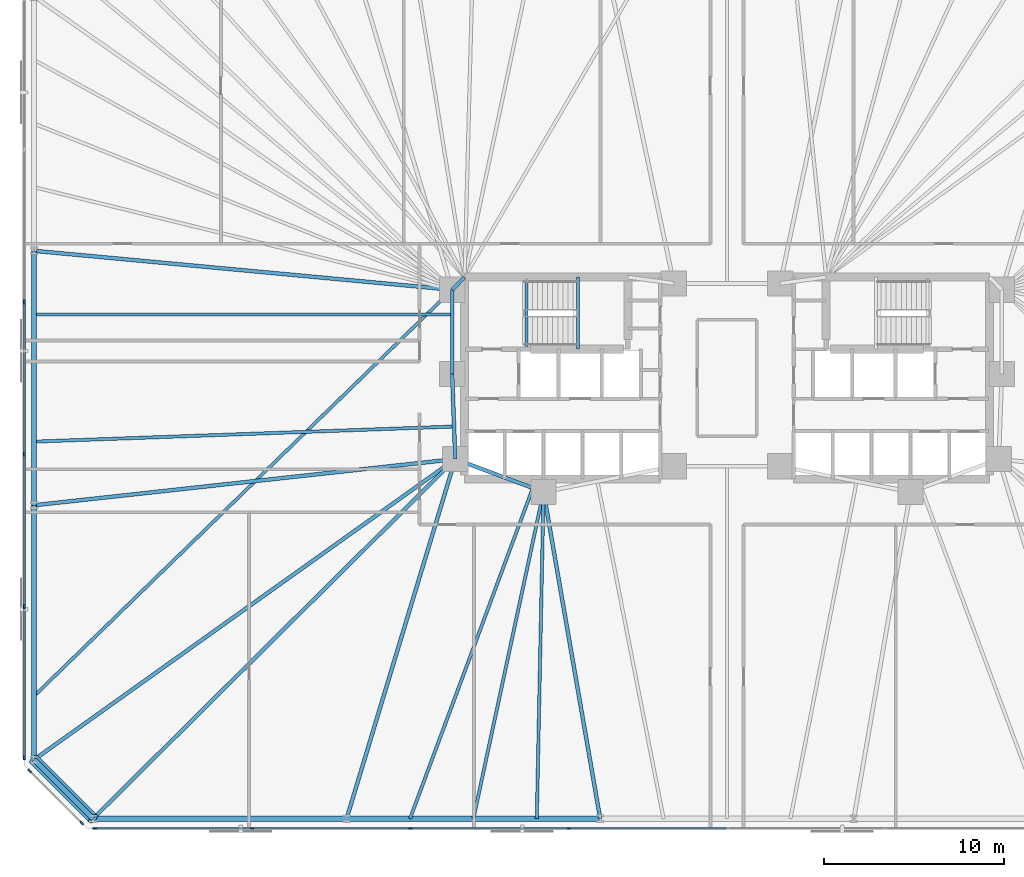
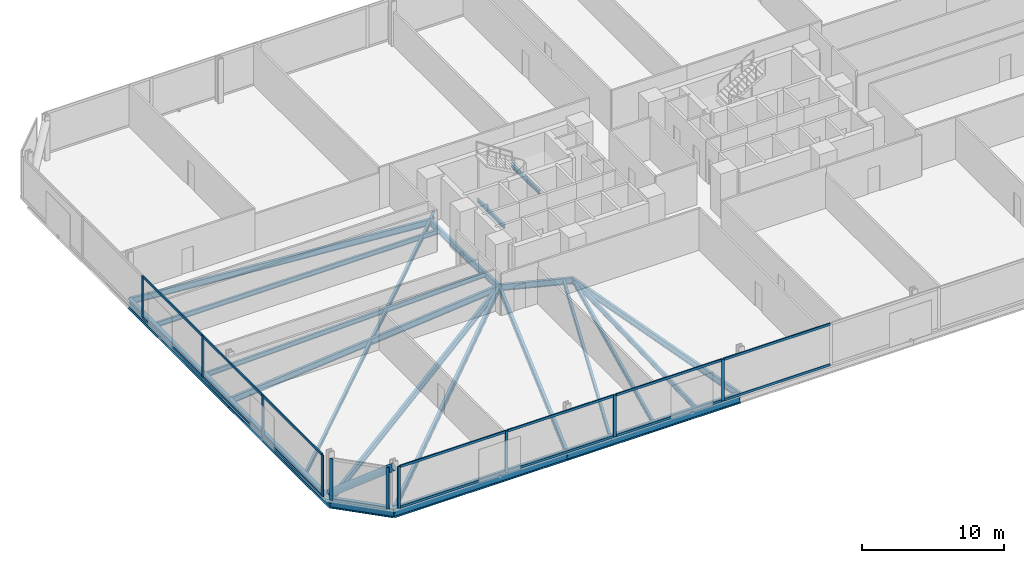
# One storey, part 6 of 17: 25 members, 23 beams, 3 elements without a shape of their own.
"""IFC4 building model written with IfcOpenShell, lengths in metres."""

import ifcopenshell
import ifcopenshell.guid

model = None  # the IFC model being written
_history = None  # IfcOwnerHistory: only IFC2X3 demands one
_inside = {}  # id of a spatial element -> (the spatial element, [elements in it])
_under = {}  # id of a project, library or spatial element -> (it, [spatial elements below it])
_declared = {}  # id of a project -> (the project, [libraries it declares])
_typed = {}  # id of a type object -> (the type object, [elements of that type])
_made_of = {}  # id of a material, layer set ... -> (it, [elements and type objects made of it])


def new_model(schema):
    """Start an empty IFC model of exactly this schema.

    Asked for "IFC4X3", IfcOpenShell would pick the latest addendum, in which some entities
    have other attributes; the version numbers below select the first issue.
    IFC2X3 requires an IfcOwnerHistory on every rooted entity: one is made here for all.
    """
    global model, _history
    if schema == "IFC4X3":
        model = ifcopenshell.file(schema_version=(4, 3, 0, 0))
    else:
        model = ifcopenshell.file(schema=schema)
    _inside.clear()
    _under.clear()
    _declared.clear()
    _typed.clear()
    _made_of.clear()
    _history = None
    if model.schema == "IFC2X3":
        org = make("IfcOrganization", Name="unknown")
        user = make(
            "IfcPersonAndOrganization",
            ThePerson=make("IfcPerson", FamilyName="unknown"),
            TheOrganization=org,
        )
        app = make(
            "IfcApplication",
            ApplicationDeveloper=org,
            Version="unknown",
            ApplicationFullName="unknown",
            ApplicationIdentifier="unknown",
        )
        _history = make(
            "IfcOwnerHistory",
            OwningUser=user,
            OwningApplication=app,
            ChangeAction="ADDED",
            CreationDate=0,
        )
    return model


def make(cls, **values):
    """One entity of the class cls with the attributes given. An attribute that is None is left unset."""
    return model.create_entity(
        cls, **{name: value for name, value in values.items() if value is not None}
    )


def rooted(cls, **values):
    """An entity with a GlobalId (a new one), such as an element, a storey or a relation."""
    return make(cls, GlobalId=ifcopenshell.guid.new(), OwnerHistory=_history, **values)


def si_unit(unit_type, name, prefix=None):
    """IfcSIUnit, for example si_unit("LENGTHUNIT", "METRE", prefix="MILLI")."""
    return make("IfcSIUnit", UnitType=unit_type, Prefix=prefix, Name=name)


def assignment(units):
    """IfcUnitAssignment: the units of a project."""
    return None if units is None else make("IfcUnitAssignment", Units=units)


def point(xyz):
    """IfcCartesianPoint."""
    return None if xyz is None else make("IfcCartesianPoint", Coordinates=xyz)


def direction(xyz):
    """IfcDirection."""
    return None if xyz is None else make("IfcDirection", DirectionRatios=xyz)


def frame(location, z_axis=None, x_axis=None):
    """IfcAxis2Placement3D, a coordinate frame: its origin and axes. An axis left out is left unset."""
    return make(
        "IfcAxis2Placement3D",
        Location=point(location),
        Axis=direction(z_axis),
        RefDirection=direction(x_axis),
    )


def frame_2d(location, x_axis=None):
    """IfcAxis2Placement2D, a coordinate frame in the plane: its origin and x axis."""
    return make(
        "IfcAxis2Placement2D", Location=point(location), RefDirection=direction(x_axis)
    )


def origin():
    """The frame at (0, 0, 0) with its axes left unset."""
    return frame((0.0, 0.0, 0.0))


def origin_2d():
    """The frame at (0, 0) in the plane with its x axis left unset."""
    return frame_2d((0.0, 0.0))


def place(relative_to, where):
    """IfcLocalPlacement: puts the frame where relative to a parent placement (None: the world)."""
    return make(
        "IfcLocalPlacement", PlacementRelTo=relative_to, RelativePlacement=where
    )


def context(
    kind, dimensions, precision=None, world=None, true_north=None, identifier=None
):
    """IfcGeometricRepresentationContext, for example the 3D "Model" context."""
    return make(
        "IfcGeometricRepresentationContext",
        ContextIdentifier=identifier,
        ContextType=kind,
        CoordinateSpaceDimension=dimensions,
        Precision=precision,
        WorldCoordinateSystem=world,
        TrueNorth=true_north,
    )


def subcontext(parent, identifier, kind, view, scale=None):
    """IfcGeometricRepresentationSubContext, for example "Body" below "Model"."""
    return make(
        "IfcGeometricRepresentationSubContext",
        ContextIdentifier=identifier,
        ContextType=kind,
        ParentContext=parent,
        TargetScale=scale,
        TargetView=view,
    )


def project(units=None, contexts=None):
    """IfcProject with its units and contexts."""
    return rooted(
        "IfcProject",
        Name="project",
        RepresentationContexts=contexts,
        UnitsInContext=assignment(units),
    )


def spatial(cls, under=None, at=None, **own):
    """A site, building, storey or space (cls), placed at a placement, below another one or the project."""
    s = rooted(cls, ObjectPlacement=at, **own)
    if under is not None:
        _under.setdefault(under.id(), (under, []))[1].append(s)
    return s


def profile(cls, at=None, kind="AREA", **sizes):
    """A parametric profile (cls). Its sizes go by their IFC names, for example OverallWidth=200.0."""
    return make(cls, ProfileType=kind, Position=at, **sizes)


def rectangle(**sizes):
    """IfcRectangleProfileDef."""
    return profile("IfcRectangleProfileDef", **sizes)


def hollow_circle(**sizes):
    """IfcCircleHollowProfileDef."""
    return profile("IfcCircleHollowProfileDef", **sizes)


def i_section(**sizes):
    """IfcIShapeProfileDef."""
    return profile("IfcIShapeProfileDef", **sizes)


def extrude(swept, where, along, depth):
    """IfcExtrudedAreaSolid: the profile swept, set in the frame where, extruded along a direction by depth."""
    return make(
        "IfcExtrudedAreaSolid",
        SweptArea=swept,
        Position=where,
        ExtrudedDirection=direction(along),
        Depth=depth,
    )


def shape(context_of_items, identifier, shape_type, items):
    """IfcShapeRepresentation: the items that make up one representation, for example the "Body"."""
    return make(
        "IfcShapeRepresentation",
        ContextOfItems=context_of_items,
        RepresentationIdentifier=identifier,
        RepresentationType=shape_type,
        Items=items,
    )


def material(Name=None, Category=None):
    """IfcMaterial."""
    return make("IfcMaterial", Name=Name, Category=Category)


def material_profile(
    of_material, cross_section, Name=None, Category=None, Priority=None
):
    """IfcMaterialProfile: a cross section and its material."""
    return make(
        "IfcMaterialProfile",
        Name=Name,
        Material=of_material,
        Profile=cross_section,
        Priority=Priority,
        Category=Category,
    )


def profile_set(profiles, Name=None, composite=None):
    """IfcMaterialProfileSet."""
    return make(
        "IfcMaterialProfileSet",
        Name=Name,
        MaterialProfiles=profiles,
        CompositeProfile=composite,
    )


def made_of(thing, what):
    """Note that an element or type object is made of a material, layer set ...; save() writes the relation."""
    if what is not None:
        _made_of.setdefault(what.id(), (what, []))[1].append(thing)
    return thing


def type_object(cls, material=None, **own):
    """A type object (cls), such as IfcWallType, which elements share."""
    return made_of(rooted(cls, **own), material)


def element(
    cls,
    number,
    at=None,
    inside=None,
    cuts=None,
    type_object=None,
    material=None,
    context=None,
    identifier="Body",
    shape_type=None,
    held_by="IfcProductDefinitionShape",
    body=None,
    shapes=None,
    **own,
):
    """One element of the class cls, such as IfcWall. Its Tag is "e" and its number.

    at: its placement. inside: the storey or other place that contains it. cuts: it is an
    opening in that element (IfcRelVoidsElement). A single representation is given by context,
    identifier, shape_type and body (its items); several are given by shapes. held_by: the class
    of the entity that holds the representations. save() writes the other relations.
    """
    e = rooted(cls, Tag="e%d" % number, ObjectPlacement=at, **own)
    if body is not None:
        shapes = [shape(context, identifier, shape_type, body)]
    if shapes is not None:
        e.Representation = make(held_by, Representations=shapes)
    if inside is not None:
        _inside.setdefault(inside.id(), (inside, []))[1].append(e)
    if cuts is not None:
        rooted(
            "IfcRelVoidsElement", RelatingBuildingElement=cuts, RelatedOpeningElement=e
        )
    if type_object is not None:
        _typed.setdefault(type_object.id(), (type_object, []))[1].append(e)
    return made_of(e, material)


def aggregate(whole, parts):
    """IfcRelAggregates: a whole, such as a stair, and the parts it consists of."""
    return rooted("IfcRelAggregates", RelatingObject=whole, RelatedObjects=parts)


def save(model, path):
    """Write the relations noted so far, then the file.

    IfcRelAggregates (storeys below a building ...), IfcRelContainedInSpatialStructure (elements
    in a storey), IfcRelDefinesByType, IfcRelAssociatesMaterial and IfcRelDeclares: one each for
    every whole, place, type object, material and project.
    """
    for whole, parts in _under.values():
        aggregate(whole, parts)
    for where, things in _inside.values():
        rooted(
            "IfcRelContainedInSpatialStructure",
            RelatedElements=things,
            RelatingStructure=where,
        )
    for kind, things in _typed.values():
        rooted("IfcRelDefinesByType", RelatedObjects=things, RelatingType=kind)
    for what, things in _made_of.values():
        rooted("IfcRelAssociatesMaterial", RelatedObjects=things, RelatingMaterial=what)
    for by, libraries in _declared.values():
        rooted("IfcRelDeclares", RelatingContext=by, RelatedDefinitions=libraries)
    model.write(path)


model = new_model("IFC4")

# Units and contexts
model_context = context("Model", 3, precision=1e-05, world=origin(), true_north=direction((0.0, 1.0)))
body_context = subcontext(model_context, "Body", "Model", "MODEL_VIEW")
ifc_project = project(units=[si_unit("LENGTHUNIT", "METRE"), si_unit("AREAUNIT", "SQUARE_METRE"), si_unit("VOLUMEUNIT", "CUBIC_METRE"), si_unit("PLANEANGLEUNIT", "RADIAN"), si_unit("MASSUNIT", "GRAM", prefix="KILO")], contexts=[model_context])

# Site, building, storey
site_placement = place(None, origin())
site = spatial("IfcSite", under=ifc_project, at=site_placement, CompositionType="ELEMENT")
building_placement = place(site_placement, origin())
building = spatial("IfcBuilding", under=site, at=building_placement, Name="Menara Jurai Vektor", CompositionType="ELEMENT")
storey_placement = place(building_placement, frame((0.0, 0.0, 52.199951171875)))
storey = spatial("IfcBuildingStorey", under=building, at=storey_placement, Name="L12", CompositionType="ELEMENT", Elevation=52.199951171875)

# Curtain wall, members
ifc_material_1 = material(Name="Anodised Pale Aluminium & Low-E Double Glazing", Category="aluminium")
curtain_wall_type = type_object("IfcCurtainWallType", Name="CW-BLK1", PredefinedType="NOTDEFINED", material=ifc_material_1)
curtain_wall_1_placement = place(storey_placement, origin())
curtain_wall_1 = element("IfcCurtainWall", 1, at=curtain_wall_1_placement, inside=storey, type_object=curtain_wall_type, Name="Unitised Curtain Wall L12 F01", PredefinedType="NOTDEFINED")
ifc_material_2 = material(Name="Anodised Pale Aluminium Mullion", Category="aluminium")
ifc_material_profile_1 = material_profile(ifc_material_2, rectangle(XDim=0.094970703125, YDim=0.239990234375, at=origin_2d()), Name="ALU MUL 95x240")
ifc_profile_set_1 = profile_set([ifc_material_profile_1], Name="Anodised Pale Aluminium Mullion")
member_type_1 = type_object("IfcMemberType", Name="CW-BLK1-MUL", PredefinedType="MULLION", material=ifc_profile_set_1)
member_1_placement = place(storey_placement, frame((-35.072509765625, -25.0, 0.0), z_axis=(0.0, 0.0, 1.0), x_axis=(0.0, 1.0, 0.0)))
member_1 = element("IfcMember", 2, at=member_1_placement, type_object=member_type_1, Name="CW-01 mullion 1", PredefinedType="MULLION", context=body_context, shape_type="SweptSolid", body=[
    extrude(rectangle(XDim=0.094970703125, YDim=0.239990234375, at=origin_2d()), origin(), (0.0, 0.0, 1.0), 3.574951171875),
])
member_2_placement = place(storey_placement, frame((-26.340087890625, -25.0, 0.0), z_axis=(0.0, 0.0, 1.0), x_axis=(0.0, 1.0, 0.0)))
member_2 = element("IfcMember", 3, at=member_2_placement, type_object=member_type_1, Name="CW-01 mullion 2", PredefinedType="MULLION", context=body_context, shape_type="SweptSolid", body=[
    extrude(rectangle(XDim=0.094970703125, YDim=0.239990234375, at=origin_2d()), origin(), (0.0, 0.0, 1.0), 3.574951171875),
])
member_3_placement = place(storey_placement, frame((-17.56005859375, -25.0, 0.0), z_axis=(0.0, 0.0, 1.0), x_axis=(0.0, 1.0, 0.0)))
member_3 = element("IfcMember", 4, at=member_3_placement, type_object=member_type_1, Name="CW-01 mullion 3", PredefinedType="MULLION", context=body_context, shape_type="SweptSolid", body=[
    extrude(rectangle(XDim=0.094970703125, YDim=0.239990234375, at=origin_2d()), origin(), (0.0, 0.0, 1.0), 3.574951171875),
])
member_4_placement = place(storey_placement, frame((-8.780029296875, -25.0, 0.0), z_axis=(0.0, 0.0, 1.0), x_axis=(0.0, 1.0, 0.0)))
member_4 = element("IfcMember", 5, at=member_4_placement, type_object=member_type_1, Name="CW-01 mullion 4", PredefinedType="MULLION", context=body_context, shape_type="SweptSolid", body=[
    extrude(rectangle(XDim=0.094970703125, YDim=0.239990234375, at=origin_2d()), origin(), (0.0, 0.0, 1.0), 3.574951171875),
])

curtain_wall_2_placement = place(storey_placement, origin())
curtain_wall_2 = element("IfcCurtainWall", 6, at=curtain_wall_2_placement, inside=storey, type_object=curtain_wall_type, Name="Unitised Curtain Wall L12 F07", PredefinedType="NOTDEFINED")
member_5_placement = place(storey_placement, frame((-39.0, 4.22412109375, 0.0), z_axis=(0.0, 0.0, 1.0), x_axis=(1.0, 0.0, 0.0)))
member_5 = element("IfcMember", 7, at=member_5_placement, type_object=member_type_1, Name="CW-01 mullion 3", PredefinedType="MULLION", context=body_context, shape_type="SweptSolid", body=[
    extrude(rectangle(XDim=0.094970703125, YDim=0.239990234375, at=origin_2d()), origin(), (0.0, 0.0, 1.0), 3.574951171875),
])
member_6_placement = place(storey_placement, frame((-39.0, -4.22412109375, 0.0), z_axis=(0.0, 0.0, 1.0), x_axis=(1.0, 0.0, 0.0)))
member_6 = element("IfcMember", 8, at=member_6_placement, type_object=member_type_1, Name="CW-01 mullion 4", PredefinedType="MULLION", context=body_context, shape_type="SweptSolid", body=[
    extrude(rectangle(XDim=0.094970703125, YDim=0.239990234375, at=origin_2d()), origin(), (0.0, 0.0, 1.0), 3.574951171875),
])
member_7_placement = place(storey_placement, frame((-39.0, -12.672119140625, 0.0), z_axis=(0.0, 0.0, 1.0), x_axis=(1.0, 0.0, 0.0)))
member_7 = element("IfcMember", 9, at=member_7_placement, type_object=member_type_1, Name="CW-01 mullion 5", PredefinedType="MULLION", context=body_context, shape_type="SweptSolid", body=[
    extrude(rectangle(XDim=0.094970703125, YDim=0.239990234375, at=origin_2d()), origin(), (0.0, 0.0, 1.0), 3.574951171875),
])
member_8_placement = place(storey_placement, frame((-39.0, -21.072509765625, 0.0), z_axis=(0.0, 0.0, 1.0), x_axis=(1.0, 0.0, 0.0)))
member_8 = element("IfcMember", 10, at=member_8_placement, type_object=member_type_1, Name="CW-01 mullion 6", PredefinedType="MULLION", context=body_context, shape_type="SweptSolid", body=[
    extrude(rectangle(XDim=0.094970703125, YDim=0.239990234375, at=origin_2d()), origin(), (0.0, 0.0, 1.0), 3.574951171875),
])

curtain_wall_3_placement = place(storey_placement, origin())
curtain_wall_3 = element("IfcCurtainWall", 11, at=curtain_wall_3_placement, inside=storey, type_object=curtain_wall_type, Name="Unitised Curtain Wall L12 F08", PredefinedType="NOTDEFINED")
member_9_placement = place(storey_placement, frame((-38.69775390625, -21.80224609375, 0.0), z_axis=(0.0, 0.0, 1.0), x_axis=(0.707106781187, 0.707106781187, 0.0)))
member_9 = element("IfcMember", 12, at=member_9_placement, type_object=member_type_1, Name="CW-01 mullion 1", PredefinedType="MULLION", context=body_context, shape_type="SweptSolid", body=[
    extrude(rectangle(XDim=0.094970703125, YDim=0.239990234375, at=origin_2d()), origin(), (0.0, 0.0, 1.0), 3.574951171875),
])
member_10_placement = place(storey_placement, frame((-35.80224609375, -24.69775390625, 0.0), z_axis=(0.0, 0.0, 1.0), x_axis=(0.707106781187, 0.707106781187, 0.0)))
member_10 = element("IfcMember", 13, at=member_10_placement, type_object=member_type_1, Name="CW-01 mullion 2", PredefinedType="MULLION", context=body_context, shape_type="SweptSolid", body=[
    extrude(rectangle(XDim=0.094970703125, YDim=0.239990234375, at=origin_2d()), origin(), (0.0, 0.0, 1.0), 3.574951171875),
])
aggregate(curtain_wall_3, [member_9, member_10])

# Member
ifc_material_3 = material(Name="Anodised Pale Aluminium Transom", Category="aluminium")
ifc_material_profile_2 = material_profile(ifc_material_3, rectangle(XDim=0.094970703125, YDim=0.199951171875, at=origin_2d()), Name="ALU TRN 95x200")
ifc_profile_set_2 = profile_set([ifc_material_profile_2], Name="Anodised Pale Aluminium Transom")
member_type_2 = type_object("IfcMemberType", Name="CW-BLK1-TRN", PredefinedType="USERDEFINED", material=ifc_profile_set_2)
member_11_placement = place(storey_placement, frame((-35.02490234375, -25.0, 0.047607421875), z_axis=(1.0, 0.0, 0.0), x_axis=(0.0, 1.0, 0.0)))
member_11 = element("IfcMember", 14, at=member_11_placement, type_object=member_type_2, Name="CW-01 transom 1.1", ObjectType="TRANSOM", PredefinedType="USERDEFINED", context=body_context, shape_type="SweptSolid", body=[
    extrude(rectangle(XDim=0.094970703125, YDim=0.199951171875, at=origin_2d()), origin(), (0.0, 0.0, 1.0), 8.637451171875),
])

member_12_placement = place(storey_placement, frame((-35.02490234375, -25.0, 3.527587890625), z_axis=(1.0, 0.0, 0.0), x_axis=(0.0, 1.0, 0.0)))
member_12 = element("IfcMember", 15, at=member_12_placement, type_object=member_type_2, Name="CW-01 transom 1.2", ObjectType="TRANSOM", PredefinedType="USERDEFINED", context=body_context, shape_type="SweptSolid", body=[
    extrude(rectangle(XDim=0.094970703125, YDim=0.199951171875, at=origin_2d()), origin(), (0.0, 0.0, 1.0), 8.637451171875),
])

member_13_placement = place(storey_placement, frame((-26.29248046875, -25.0, 0.047607421875), z_axis=(1.0, 0.0, 0.0), x_axis=(0.0, 1.0, 0.0)))
member_13 = element("IfcMember", 16, at=member_13_placement, type_object=member_type_2, Name="CW-01 transom 2.1", ObjectType="TRANSOM", PredefinedType="USERDEFINED", context=body_context, shape_type="SweptSolid", body=[
    extrude(rectangle(XDim=0.094970703125, YDim=0.199951171875, at=origin_2d()), origin(), (0.0, 0.0, 1.0), 8.68505859375),
])

member_14_placement = place(storey_placement, frame((-26.29248046875, -25.0, 3.527587890625), z_axis=(1.0, 0.0, 0.0), x_axis=(0.0, 1.0, 0.0)))
member_14 = element("IfcMember", 17, at=member_14_placement, type_object=member_type_2, Name="CW-01 transom 2.2", ObjectType="TRANSOM", PredefinedType="USERDEFINED", context=body_context, shape_type="SweptSolid", body=[
    extrude(rectangle(XDim=0.094970703125, YDim=0.199951171875, at=origin_2d()), origin(), (0.0, 0.0, 1.0), 8.68505859375),
])

member_15_placement = place(storey_placement, frame((-17.512451171875, -25.0, 0.047607421875), z_axis=(1.0, 0.0, 0.0), x_axis=(0.0, 1.0, 0.0)))
member_15 = element("IfcMember", 18, at=member_15_placement, type_object=member_type_2, Name="CW-01 transom 3.1", ObjectType="TRANSOM", PredefinedType="USERDEFINED", context=body_context, shape_type="SweptSolid", body=[
    extrude(rectangle(XDim=0.094970703125, YDim=0.199951171875, at=origin_2d()), origin(), (0.0, 0.0, 1.0), 8.68505859375),
])

member_16_placement = place(storey_placement, frame((-17.512451171875, -25.0, 3.527587890625), z_axis=(1.0, 0.0, 0.0), x_axis=(0.0, 1.0, 0.0)))
member_16 = element("IfcMember", 19, at=member_16_placement, type_object=member_type_2, Name="CW-01 transom 3.2", ObjectType="TRANSOM", PredefinedType="USERDEFINED", context=body_context, shape_type="SweptSolid", body=[
    extrude(rectangle(XDim=0.094970703125, YDim=0.199951171875, at=origin_2d()), origin(), (0.0, 0.0, 1.0), 8.68505859375),
])

member_17_placement = place(storey_placement, frame((-8.732421875, -25.0, 0.047607421875), z_axis=(1.0, 0.0, 0.0), x_axis=(0.0, 1.0, 0.0)))
member_17 = element("IfcMember", 20, at=member_17_placement, type_object=member_type_2, Name="CW-01 transom 4.1", ObjectType="TRANSOM", PredefinedType="USERDEFINED", context=body_context, shape_type="SweptSolid", body=[
    extrude(rectangle(XDim=0.094970703125, YDim=0.199951171875, at=origin_2d()), origin(), (0.0, 0.0, 1.0), 8.684814453125),
])

member_18_placement = place(storey_placement, frame((-8.732421875, -25.0, 3.527587890625), z_axis=(1.0, 0.0, 0.0), x_axis=(0.0, 1.0, 0.0)))
member_18 = element("IfcMember", 21, at=member_18_placement, type_object=member_type_2, Name="CW-01 transom 4.2", ObjectType="TRANSOM", PredefinedType="USERDEFINED", context=body_context, shape_type="SweptSolid", body=[
    extrude(rectangle(XDim=0.094970703125, YDim=0.199951171875, at=origin_2d()), origin(), (0.0, 0.0, 1.0), 8.684814453125),
])

aggregate(curtain_wall_1, [member_1, member_2, member_3, member_4, member_11, member_12, member_13, member_14, member_15, member_16, member_17, member_18])

member_19_placement = place(storey_placement, frame((-39.0, 4.176513671875, 0.047607421875), z_axis=(0.0, -1.0, 0.0), x_axis=(1.0, 0.0, 0.0)))
member_19 = element("IfcMember", 22, at=member_19_placement, type_object=member_type_2, Name="CW-01 transom 3.1", ObjectType="TRANSOM", PredefinedType="USERDEFINED", context=body_context, shape_type="SweptSolid", body=[
    extrude(rectangle(XDim=0.094970703125, YDim=0.199951171875, at=origin_2d()), origin(), (0.0, 0.0, 1.0), 8.35302734375),
])

member_20_placement = place(storey_placement, frame((-39.0, 4.176513671875, 3.527587890625), z_axis=(0.0, -1.0, 0.0), x_axis=(1.0, 0.0, 0.0)))
member_20 = element("IfcMember", 23, at=member_20_placement, type_object=member_type_2, Name="CW-01 transom 3.2", ObjectType="TRANSOM", PredefinedType="USERDEFINED", context=body_context, shape_type="SweptSolid", body=[
    extrude(rectangle(XDim=0.094970703125, YDim=0.199951171875, at=origin_2d()), origin(), (0.0, 0.0, 1.0), 8.35302734375),
])

member_21_placement = place(storey_placement, frame((-39.0, -4.271484375, 0.047607421875), z_axis=(0.0, -1.0, 0.0), x_axis=(1.0, 0.0, 0.0)))
member_21 = element("IfcMember", 24, at=member_21_placement, type_object=member_type_2, Name="CW-01 transom 4.1", ObjectType="TRANSOM", PredefinedType="USERDEFINED", context=body_context, shape_type="SweptSolid", body=[
    extrude(rectangle(XDim=0.094970703125, YDim=0.199951171875, at=origin_2d()), origin(), (0.0, 0.0, 1.0), 8.35302734375),
])

member_22_placement = place(storey_placement, frame((-39.0, -4.271484375, 3.527587890625), z_axis=(0.0, -1.0, 0.0), x_axis=(1.0, 0.0, 0.0)))
member_22 = element("IfcMember", 25, at=member_22_placement, type_object=member_type_2, Name="CW-01 transom 4.2", ObjectType="TRANSOM", PredefinedType="USERDEFINED", context=body_context, shape_type="SweptSolid", body=[
    extrude(rectangle(XDim=0.094970703125, YDim=0.199951171875, at=origin_2d()), origin(), (0.0, 0.0, 1.0), 8.35302734375),
])

member_23_placement = place(storey_placement, frame((-39.0, -12.719482421875, 0.047607421875), z_axis=(0.0, -1.0, 0.0), x_axis=(1.0, 0.0, 0.0)))
member_23 = element("IfcMember", 26, at=member_23_placement, type_object=member_type_2, Name="CW-01 transom 5.1", ObjectType="TRANSOM", PredefinedType="USERDEFINED", context=body_context, shape_type="SweptSolid", body=[
    extrude(rectangle(XDim=0.094970703125, YDim=0.199951171875, at=origin_2d()), origin(), (0.0, 0.0, 1.0), 8.305419921875),
])

member_24_placement = place(storey_placement, frame((-39.0, -12.719482421875, 3.527587890625), z_axis=(0.0, -1.0, 0.0), x_axis=(1.0, 0.0, 0.0)))
member_24 = element("IfcMember", 27, at=member_24_placement, type_object=member_type_2, Name="CW-01 transom 5.2", ObjectType="TRANSOM", PredefinedType="USERDEFINED", context=body_context, shape_type="SweptSolid", body=[
    extrude(rectangle(XDim=0.094970703125, YDim=0.199951171875, at=origin_2d()), origin(), (0.0, 0.0, 1.0), 8.305419921875),
])

aggregate(curtain_wall_2, [member_5, member_6, member_7, member_8, member_19, member_20, member_21, member_22, member_23, member_24])

# Beams
ifc_material_4 = material(Name="Steel S355", Category="steel")
ifc_material_profile_3 = material_profile(ifc_material_4, i_section(OverallWidth=0.2109375, OverallDepth=0.5390625, WebThickness=0.011962890625, FlangeThickness=0.01904296875, FilletRadius=0.012939453125, at=origin_2d()), Name="UKB 533x210x109")
ifc_profile_set_3 = profile_set([ifc_material_profile_3], Name="Steel S355")
beam_type_1 = type_object("IfcBeamType", Name="STR-BM-533", PredefinedType="BEAM", material=ifc_profile_set_3)
beam_1_placement = place(storey_placement, frame((-15.25, 4.89990234375, -0.494384765625), z_axis=(0.701871936926, 0.712303154672, 0.0), x_axis=(-0.712303154672, 0.701871936926, 0.0)))
element("IfcBeam", 28, at=beam_1_placement, inside=storey, type_object=beam_type_1, Name="Core Ring Header Girder L12-CHW-N1", PredefinedType="BEAM", context=body_context, shape_type="SweptSolid", body=[
    extrude(i_section(OverallWidth=0.2109375, OverallDepth=0.5390625, WebThickness=0.011962890625, FlangeThickness=0.01904296875, FilletRadius=0.012939453125, at=origin_2d()), origin(), (0.0, 0.0, 1.0), 0.98291015625),
])
beam_2_placement = place(storey_placement, frame((-15.25, 0.219970703125, -0.494384765625), z_axis=(0.0, 1.0, 0.0), x_axis=(-1.0, 0.0, 0.0)))
element("IfcBeam", 29, at=beam_2_placement, inside=storey, type_object=beam_type_1, Name="Core Ring Header Girder L12-CHW-W1", PredefinedType="BEAM", context=body_context, shape_type="SweptSolid", body=[
    extrude(i_section(OverallWidth=0.2109375, OverallDepth=0.5390625, WebThickness=0.011962890625, FlangeThickness=0.01904296875, FilletRadius=0.012939453125, at=origin_2d()), origin(), (0.0, 0.0, 1.0), 4.679931640625),
])
beam_3_placement = place(storey_placement, frame((-15.080078125, -4.5, -0.494384765625), z_axis=(-0.035977314146, 0.999352606874, 0.0), x_axis=(-0.999352606874, -0.035977314146, 0.0)))
element("IfcBeam", 30, at=beam_3_placement, inside=storey, type_object=beam_type_1, Name="Core Ring Header Girder L12-CHW-W2", PredefinedType="BEAM", context=body_context, shape_type="SweptSolid", body=[
    extrude(i_section(OverallWidth=0.2109375, OverallDepth=0.5390625, WebThickness=0.011962890625, FlangeThickness=0.01904296875, FilletRadius=0.012939453125, at=origin_2d()), origin(), (0.0, 0.0, 1.0), 4.72314453125),
])
beam_4_placement = place(storey_placement, frame((-15.080078125, -4.5, -0.494384765625), z_axis=(0.937424400887, -0.348188874925, 0.0), x_axis=(0.348188874925, 0.937424400887, 0.0)))
element("IfcBeam", 31, at=beam_4_placement, inside=storey, type_object=beam_type_1, Name="Core Ring Header Girder L12-CHW-S1", PredefinedType="BEAM", context=body_context, shape_type="SweptSolid", body=[
    extrude(i_section(OverallWidth=0.2109375, OverallDepth=0.5390625, WebThickness=0.011962890625, FlangeThickness=0.01904296875, FilletRadius=0.012939453125, at=origin_2d()), origin(), (0.0, 0.0, 1.0), 5.227294921875),
])
beam_5_placement = place(storey_placement, frame((-35.177734375, -24.449951171875, -0.494384765625), z_axis=(0.709709931659, 0.704494011972, 0.0), x_axis=(-0.704494011972, 0.709709931659, 0.0)))
element("IfcBeam", 32, at=beam_5_placement, inside=storey, type_object=beam_type_1, Name="Radial Floor Girder L12-S1", PredefinedType="BEAM", context=body_context, shape_type="SweptSolid", body=[
    extrude(i_section(OverallWidth=0.2109375, OverallDepth=0.5390625, WebThickness=0.011962890625, FlangeThickness=0.01904296875, FilletRadius=0.012939453125, at=origin_2d()), origin(), (0.0, 0.0, 1.0), 28.318115234375),
])
beam_6_placement = place(storey_placement, frame((-21.106689453125, -24.449951171875, -0.494384765625), z_axis=(0.289179812203, 0.957274796604, 0.0), x_axis=(-0.957274796604, 0.289179812203, 0.0)))
element("IfcBeam", 33, at=beam_6_placement, inside=storey, type_object=beam_type_1, Name="Radial Floor Girder L12-S2", PredefinedType="BEAM", context=body_context, shape_type="SweptSolid", body=[
    extrude(i_section(OverallWidth=0.2109375, OverallDepth=0.5390625, WebThickness=0.011962890625, FlangeThickness=0.01904296875, FilletRadius=0.012939453125, at=origin_2d()), origin(), (0.0, 0.0, 1.0), 20.84033203125),
])
beam_7_placement = place(storey_placement, frame((-7.03564453125, -24.449951171875, -0.494384765625), z_axis=(-0.170880325642, 0.985291791455, 0.0), x_axis=(-0.985291791455, -0.170880325642, 0.0)))
element("IfcBeam", 34, at=beam_7_placement, inside=storey, type_object=beam_type_1, Name="Radial Floor Girder L12-S3", PredefinedType="BEAM", context=body_context, shape_type="SweptSolid", body=[
    extrude(i_section(OverallWidth=0.2109375, OverallDepth=0.5390625, WebThickness=0.011962890625, FlangeThickness=0.01904296875, FilletRadius=0.012939453125, at=origin_2d()), origin(), (0.0, 0.0, 1.0), 18.400634765625),
])
beam_8_placement = place(storey_placement, frame((-38.449951171875, 7.059326171875, -0.494384765625), z_axis=(0.995696113112, -0.092678208514, 0.0), x_axis=(0.092678208514, 0.995696113112, 0.0)))
element("IfcBeam", 35, at=beam_8_placement, inside=storey, type_object=beam_type_1, Name="Radial Floor Girder L12-W2", PredefinedType="BEAM", context=body_context, shape_type="SweptSolid", body=[
    extrude(i_section(OverallWidth=0.2109375, OverallDepth=0.5390625, WebThickness=0.011962890625, FlangeThickness=0.01904296875, FilletRadius=0.012939453125, at=origin_2d()), origin(), (0.0, 0.0, 1.0), 23.30029296875),
])
beam_9_placement = place(storey_placement, frame((-38.449951171875, -7.059326171875, -0.494384765625), z_axis=(0.994056757953, 0.108863042253, 0.0), x_axis=(-0.108863042253, 0.994056757953, 0.0)))
element("IfcBeam", 36, at=beam_9_placement, inside=storey, type_object=beam_type_1, Name="Radial Floor Girder L12-W3", PredefinedType="BEAM", context=body_context, shape_type="SweptSolid", body=[
    extrude(i_section(OverallWidth=0.2109375, OverallDepth=0.5390625, WebThickness=0.011962890625, FlangeThickness=0.01904296875, FilletRadius=0.012939453125, at=origin_2d()), origin(), (0.0, 0.0, 1.0), 23.509521484375),
])
beam_10_placement = place(storey_placement, frame((-38.449951171875, -21.177734375, -0.494384765625), z_axis=(0.813981033216, 0.580891450759, 0.0), x_axis=(-0.580891450759, 0.813981033216, 0.0)))
element("IfcBeam", 37, at=beam_10_placement, inside=storey, type_object=beam_type_1, Name="Radial Floor Girder L12-W4", PredefinedType="BEAM", context=body_context, shape_type="SweptSolid", body=[
    extrude(i_section(OverallWidth=0.2109375, OverallDepth=0.5390625, WebThickness=0.011962890625, FlangeThickness=0.01904296875, FilletRadius=0.012939453125, at=origin_2d()), origin(), (0.0, 0.0, 1.0), 28.710693359375),
])

# Member
ifc_material_5 = material(Name="Steel S460", Category="steel")
ifc_material_profile_4 = material_profile(ifc_material_5, hollow_circle(Radius=0.304931640625, WallThickness=0.02490234375, at=origin_2d()), Name="CHS 610x25")
ifc_profile_set_4 = profile_set([ifc_material_profile_4], Name="Steel S460")
member_type_3 = type_object("IfcMemberType", Name="STR-BR-610", PredefinedType="BRACE", material=ifc_profile_set_4)
member_25_placement = place(storey_placement, frame((-38.449951171875, -21.177734375, 0.150146484375), z_axis=(0.588942422958, -0.588942422958, 0.553438022619), x_axis=(0.707106781187, 0.707106781187, 0.0)))
element("IfcMember", 38, at=member_25_placement, inside=storey, type_object=member_type_3, Name="Exoskeleton Corner Brace L12-4", PredefinedType="BRACE", context=body_context, shape_type="SweptSolid", body=[
    extrude(hollow_circle(Radius=0.304931640625, WallThickness=0.02490234375, at=origin_2d()), origin(), (0.0, 0.0, 1.0), 5.55615234375),
])

# Beams
ifc_material_profile_5 = material_profile(ifc_material_4, i_section(OverallWidth=0.178955078125, OverallDepth=0.408935546875, WebThickness=0.009033203125, FlangeThickness=0.013916015625, FilletRadius=0.010009765625, at=origin_2d()), Name="UKB 406x178x67")
ifc_profile_set_5 = profile_set([ifc_material_profile_5], Name="Steel S355")
beam_type_2 = type_object("IfcBeamType", Name="STR-JS-406", PredefinedType="JOIST", material=ifc_profile_set_5)
beam_11_placement = place(storey_placement, frame((-17.5888671875, -24.449951171875, -0.429443359375), z_axis=(0.348179014223, 0.937428063403, 0.0), x_axis=(-0.937428063403, 0.348179014223, 0.0)))
element("IfcBeam", 39, at=beam_11_placement, inside=storey, type_object=beam_type_2, Name="Radial Secondary Floor Joist L12-JS01", PredefinedType="JOIST", context=body_context, shape_type="SweptSolid", body=[
    extrude(i_section(OverallWidth=0.178955078125, OverallDepth=0.408935546875, WebThickness=0.009033203125, FlangeThickness=0.013916015625, FilletRadius=0.010009765625, at=origin_2d()), origin(), (0.0, 0.0, 1.0), 19.5751953125),
])
beam_12_placement = place(storey_placement, frame((-14.071044921875, -24.449951171875, -0.429443359375), z_axis=(0.209845584412, 0.977734539997, 0.0), x_axis=(-0.977734539997, 0.209845584412, 0.0)))
element("IfcBeam", 40, at=beam_12_placement, inside=storey, type_object=beam_type_2, Name="Radial Secondary Floor Joist L12-JS02", PredefinedType="JOIST", context=body_context, shape_type="SweptSolid", body=[
    extrude(i_section(OverallWidth=0.178955078125, OverallDepth=0.408935546875, WebThickness=0.009033203125, FlangeThickness=0.013916015625, FilletRadius=0.010009765625, at=origin_2d()), origin(), (0.0, 0.0, 1.0), 18.542724609375),
])
beam_13_placement = place(storey_placement, frame((-10.55322265625, -24.449951171875, -0.429443359375), z_axis=(0.020585456509, 0.999788097039, 0.0), x_axis=(-0.999788097039, 0.020585456509, 0.0)))
element("IfcBeam", 41, at=beam_13_placement, inside=storey, type_object=beam_type_2, Name="Radial Secondary Floor Joist L12-JS03", PredefinedType="JOIST", context=body_context, shape_type="SweptSolid", body=[
    extrude(i_section(OverallWidth=0.178955078125, OverallDepth=0.408935546875, WebThickness=0.009033203125, FlangeThickness=0.013916015625, FilletRadius=0.010009765625, at=origin_2d()), origin(), (0.0, 0.0, 1.0), 18.1337890625),
])
beam_14_placement = place(storey_placement, frame((-38.449951171875, 3.529541015625, -0.429443359375), z_axis=(1.0, 0.0, 0.0), x_axis=(0.0, 1.0, 0.0)))
element("IfcBeam", 42, at=beam_14_placement, inside=storey, type_object=beam_type_2, Name="Radial Secondary Floor Joist L12-JS35", PredefinedType="JOIST", context=body_context, shape_type="SweptSolid", body=[
    extrude(i_section(OverallWidth=0.178955078125, OverallDepth=0.408935546875, WebThickness=0.009033203125, FlangeThickness=0.013916015625, FilletRadius=0.010009765625, at=origin_2d()), origin(), (0.0, 0.0, 1.0), 23.199951171875),
])
beam_15_placement = place(storey_placement, frame((-38.449951171875, -3.529541015625, -0.429443359375), z_axis=(0.999352032814, 0.035993256462, 0.0), x_axis=(-0.035993256462, 0.999352032814, 0.0)))
element("IfcBeam", 43, at=beam_15_placement, inside=storey, type_object=beam_type_2, Name="Radial Secondary Floor Joist L12-JS36", PredefinedType="JOIST", context=body_context, shape_type="SweptSolid", body=[
    extrude(i_section(OverallWidth=0.178955078125, OverallDepth=0.408935546875, WebThickness=0.009033203125, FlangeThickness=0.013916015625, FilletRadius=0.010009765625, at=origin_2d()), origin(), (0.0, 0.0, 1.0), 23.31982421875),
])
beam_16_placement = place(storey_placement, frame((-38.449951171875, -17.648193359375, -0.429443359375), z_axis=(0.71710942187, 0.696960599363, 0.0), x_axis=(-0.696960599363, 0.71710942187, 0.0)))
element("IfcBeam", 44, at=beam_16_placement, inside=storey, type_object=beam_type_2, Name="Radial Secondary Floor Joist L12-JS37", PredefinedType="JOIST", context=body_context, shape_type="SweptSolid", body=[
    extrude(i_section(OverallWidth=0.178955078125, OverallDepth=0.408935546875, WebThickness=0.009033203125, FlangeThickness=0.013916015625, FilletRadius=0.010009765625, at=origin_2d()), origin(), (0.0, 0.0, 1.0), 32.35205078125),
])
ifc_material_profile_6 = material_profile(ifc_material_4, i_section(OverallWidth=0.1650390625, OverallDepth=0.302978515625, WebThickness=0.006103515625, FlangeThickness=0.010009765625, FilletRadius=0.009033203125, at=origin_2d()), Name="UKB 305x165x40")
ifc_profile_set_6 = profile_set([ifc_material_profile_6], Name="Steel S355")
beam_type_3 = type_object("IfcBeamType", Name="STR-LN-305", PredefinedType="LINTEL", material=ifc_profile_set_6)
beam_17_placement = place(storey_placement, frame((-11.1201171875, 1.60009765625, -0.37646484375), z_axis=(0.0, 1.0, 0.0), x_axis=(-1.0, 0.0, 0.0)))
element("IfcBeam", 45, at=beam_17_placement, inside=storey, type_object=beam_type_3, Name="Stair Well Floor Trimmer ST1 L12", PredefinedType="LINTEL", context=body_context, shape_type="SweptSolid", body=[
    extrude(i_section(OverallWidth=0.1650390625, OverallDepth=0.302978515625, WebThickness=0.006103515625, FlangeThickness=0.010009765625, FilletRadius=0.009033203125, at=origin_2d()), origin(), (0.0, 0.0, 1.0), 3.81982421875),
])
beam_18_placement = place(storey_placement, frame((-8.27001953125, 1.60009765625, 1.548583984375), z_axis=(0.0, 1.0, 0.0), x_axis=(-1.0, 0.0, 0.0)))
element("IfcBeam", 46, at=beam_18_placement, inside=storey, type_object=beam_type_3, Name="Stair Half-Landing Nosing Trimmer ST1-1 L12", PredefinedType="LINTEL", context=body_context, shape_type="SweptSolid", body=[
    extrude(i_section(OverallWidth=0.1650390625, OverallDepth=0.302978515625, WebThickness=0.006103515625, FlangeThickness=0.010009765625, FilletRadius=0.009033203125, at=origin_2d()), origin(), (0.0, 0.0, 1.0), 4.0),
])
ifc_material_profile_7 = material_profile(ifc_material_5, i_section(OverallWidth=0.2939453125, OverallDepth=0.85107421875, WebThickness=0.01611328125, FlangeThickness=0.027099609375, FilletRadius=0.01806640625, at=origin_2d()), Name="UKB 838x292x226")
ifc_profile_set_7 = profile_set([ifc_material_profile_7], Name="Steel S460")
beam_type_4 = type_object("IfcBeamType", Name="STR-SP-838", PredefinedType="SPANDREL", material=ifc_profile_set_7)
for number, where, z_axis, x_axis, name in (
    (47, (-35.177734375, -24.449951171875, -0.650390625), (1.0, 0.0, 0.0), (0.0, 1.0, 0.0), "Exoskeleton Spandrel Beam L12-01"),
    (48, (-21.106689453125, -24.449951171875, -0.650390625), (1.0, 0.0, 0.0), (0.0, 1.0, 0.0), "Exoskeleton Spandrel Beam L12-02"),
):
    element("IfcBeam", number, at=place(storey_placement, frame(where, z_axis=z_axis, x_axis=x_axis)), inside=storey, type_object=beam_type_4, Name=name, PredefinedType="SPANDREL", context=body_context, shape_type="SweptSolid", body=[
        extrude(i_section(OverallWidth=0.2939453125, OverallDepth=0.85107421875, WebThickness=0.01611328125, FlangeThickness=0.027099609375, FilletRadius=0.01806640625, at=origin_2d()), origin(), (0.0, 0.0, 1.0), 14.071044921875),
    ])
beam_19_placement = place(storey_placement, frame((-38.449951171875, 7.059326171875, -0.650390625), z_axis=(0.0, -1.0, 0.0), x_axis=(1.0, 0.0, 0.0)))
element("IfcBeam", 49, at=beam_19_placement, inside=storey, type_object=beam_type_4, Name="Exoskeleton Spandrel Beam L12-18", PredefinedType="SPANDREL", context=body_context, shape_type="SweptSolid", body=[
    extrude(i_section(OverallWidth=0.2939453125, OverallDepth=0.85107421875, WebThickness=0.01611328125, FlangeThickness=0.027099609375, FilletRadius=0.01806640625, at=origin_2d()), origin(), (0.0, 0.0, 1.0), 14.11865234375),
])
beam_20_placement = place(storey_placement, frame((-38.449951171875, -7.059326171875, -0.650390625), z_axis=(0.0, -1.0, 0.0), x_axis=(1.0, 0.0, 0.0)))
element("IfcBeam", 50, at=beam_20_placement, inside=storey, type_object=beam_type_4, Name="Exoskeleton Spandrel Beam L12-19", PredefinedType="SPANDREL", context=body_context, shape_type="SweptSolid", body=[
    extrude(i_section(OverallWidth=0.2939453125, OverallDepth=0.85107421875, WebThickness=0.01611328125, FlangeThickness=0.027099609375, FilletRadius=0.01806640625, at=origin_2d()), origin(), (0.0, 0.0, 1.0), 14.118408203125),
])
beam_21_placement = place(storey_placement, frame((-38.449951171875, -21.177734375, -0.650390625), z_axis=(0.707106781187, -0.707106781187, 0.0), x_axis=(0.707106781187, 0.707106781187, 0.0)))
element("IfcBeam", 51, at=beam_21_placement, inside=storey, type_object=beam_type_4, Name="Exoskeleton Spandrel Beam L12-20", PredefinedType="SPANDREL", context=body_context, shape_type="SweptSolid", body=[
    extrude(i_section(OverallWidth=0.2939453125, OverallDepth=0.85107421875, WebThickness=0.01611328125, FlangeThickness=0.027099609375, FilletRadius=0.01806640625, at=origin_2d()), origin(), (0.0, 0.0, 1.0), 4.627685546875),
])

save(model, "model.ifc")
